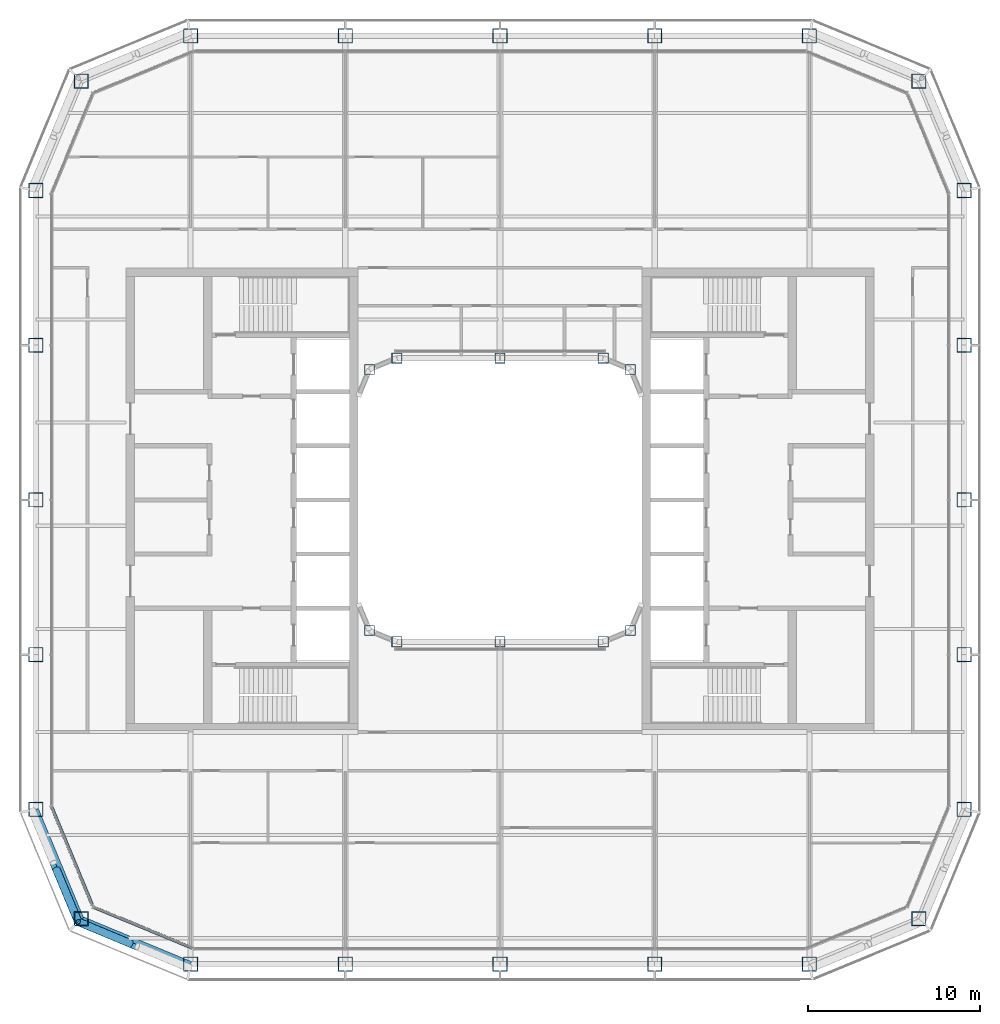
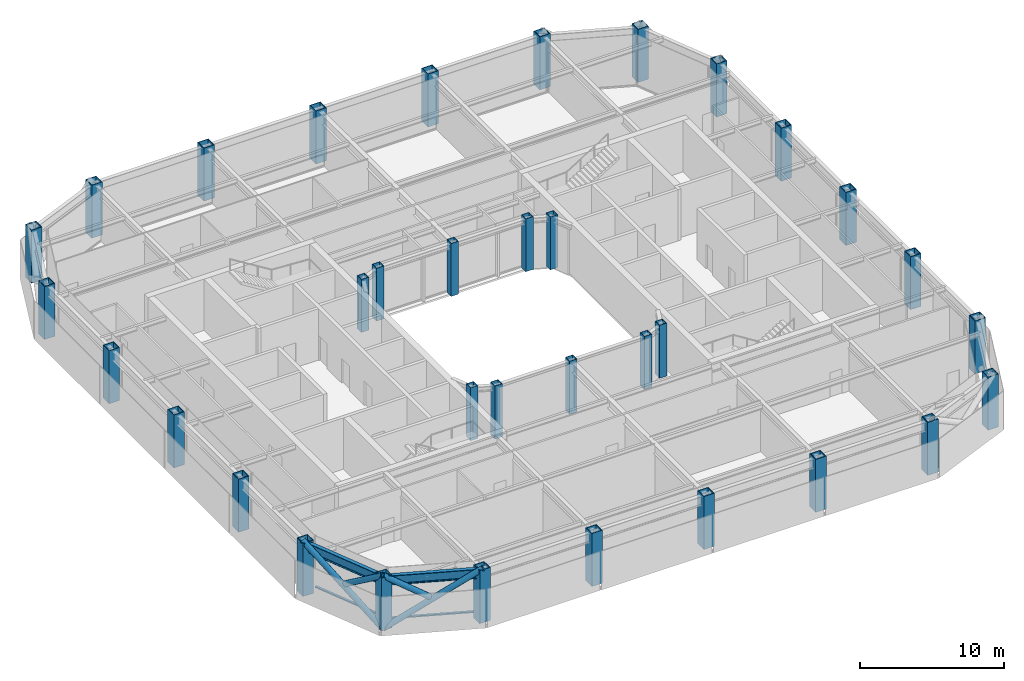
# One storey, part 1 of 19: 34 columns, 6 members, 2 beams, 2 elements without a shape of their own.
"""IFC4 building model written with IfcOpenShell, lengths in metres."""

import ifcopenshell
import ifcopenshell.guid

model = None  # the IFC model being written
_history = None  # IfcOwnerHistory: only IFC2X3 demands one
_inside = {}  # id of a spatial element -> (the spatial element, [elements in it])
_under = {}  # id of a project, library or spatial element -> (it, [spatial elements below it])
_declared = {}  # id of a project -> (the project, [libraries it declares])
_typed = {}  # id of a type object -> (the type object, [elements of that type])
_made_of = {}  # id of a material, layer set ... -> (it, [elements and type objects made of it])


def new_model(schema):
    """Start an empty IFC model of exactly this schema.

    Asked for "IFC4X3", IfcOpenShell would pick the latest addendum, in which some entities
    have other attributes; the version numbers below select the first issue.
    IFC2X3 requires an IfcOwnerHistory on every rooted entity: one is made here for all.
    """
    global model, _history
    if schema == "IFC4X3":
        model = ifcopenshell.file(schema_version=(4, 3, 0, 0))
    else:
        model = ifcopenshell.file(schema=schema)
    _inside.clear()
    _under.clear()
    _declared.clear()
    _typed.clear()
    _made_of.clear()
    _history = None
    if model.schema == "IFC2X3":
        org = make("IfcOrganization", Name="unknown")
        user = make(
            "IfcPersonAndOrganization",
            ThePerson=make("IfcPerson", FamilyName="unknown"),
            TheOrganization=org,
        )
        app = make(
            "IfcApplication",
            ApplicationDeveloper=org,
            Version="unknown",
            ApplicationFullName="unknown",
            ApplicationIdentifier="unknown",
        )
        _history = make(
            "IfcOwnerHistory",
            OwningUser=user,
            OwningApplication=app,
            ChangeAction="ADDED",
            CreationDate=0,
        )
    return model


def make(cls, **values):
    """One entity of the class cls with the attributes given. An attribute that is None is left unset."""
    return model.create_entity(
        cls, **{name: value for name, value in values.items() if value is not None}
    )


def rooted(cls, **values):
    """An entity with a GlobalId (a new one), such as an element, a storey or a relation."""
    return make(cls, GlobalId=ifcopenshell.guid.new(), OwnerHistory=_history, **values)


def si_unit(unit_type, name, prefix=None):
    """IfcSIUnit, for example si_unit("LENGTHUNIT", "METRE", prefix="MILLI")."""
    return make("IfcSIUnit", UnitType=unit_type, Prefix=prefix, Name=name)


def assignment(units):
    """IfcUnitAssignment: the units of a project."""
    return None if units is None else make("IfcUnitAssignment", Units=units)


def point(xyz):
    """IfcCartesianPoint."""
    return None if xyz is None else make("IfcCartesianPoint", Coordinates=xyz)


def direction(xyz):
    """IfcDirection."""
    return None if xyz is None else make("IfcDirection", DirectionRatios=xyz)


def frame(location, z_axis=None, x_axis=None):
    """IfcAxis2Placement3D, a coordinate frame: its origin and axes. An axis left out is left unset."""
    return make(
        "IfcAxis2Placement3D",
        Location=point(location),
        Axis=direction(z_axis),
        RefDirection=direction(x_axis),
    )


def frame_2d(location, x_axis=None):
    """IfcAxis2Placement2D, a coordinate frame in the plane: its origin and x axis."""
    return make(
        "IfcAxis2Placement2D", Location=point(location), RefDirection=direction(x_axis)
    )


def origin():
    """The frame at (0, 0, 0) with its axes left unset."""
    return frame((0.0, 0.0, 0.0))


def origin_2d():
    """The frame at (0, 0) in the plane with its x axis left unset."""
    return frame_2d((0.0, 0.0))


def place(relative_to, where):
    """IfcLocalPlacement: puts the frame where relative to a parent placement (None: the world)."""
    return make(
        "IfcLocalPlacement", PlacementRelTo=relative_to, RelativePlacement=where
    )


def context(
    kind, dimensions, precision=None, world=None, true_north=None, identifier=None
):
    """IfcGeometricRepresentationContext, for example the 3D "Model" context."""
    return make(
        "IfcGeometricRepresentationContext",
        ContextIdentifier=identifier,
        ContextType=kind,
        CoordinateSpaceDimension=dimensions,
        Precision=precision,
        WorldCoordinateSystem=world,
        TrueNorth=true_north,
    )


def subcontext(parent, identifier, kind, view, scale=None):
    """IfcGeometricRepresentationSubContext, for example "Body" below "Model"."""
    return make(
        "IfcGeometricRepresentationSubContext",
        ContextIdentifier=identifier,
        ContextType=kind,
        ParentContext=parent,
        TargetScale=scale,
        TargetView=view,
    )


def project(units=None, contexts=None):
    """IfcProject with its units and contexts."""
    return rooted(
        "IfcProject",
        Name="project",
        RepresentationContexts=contexts,
        UnitsInContext=assignment(units),
    )


def spatial(cls, under=None, at=None, **own):
    """A site, building, storey or space (cls), placed at a placement, below another one or the project."""
    s = rooted(cls, ObjectPlacement=at, **own)
    if under is not None:
        _under.setdefault(under.id(), (under, []))[1].append(s)
    return s


def profile(cls, at=None, kind="AREA", **sizes):
    """A parametric profile (cls). Its sizes go by their IFC names, for example OverallWidth=200.0."""
    return make(cls, ProfileType=kind, Position=at, **sizes)


def rectangle(**sizes):
    """IfcRectangleProfileDef."""
    return profile("IfcRectangleProfileDef", **sizes)


def hollow_rectangle(**sizes):
    """IfcRectangleHollowProfileDef."""
    return profile("IfcRectangleHollowProfileDef", **sizes)


def hollow_circle(**sizes):
    """IfcCircleHollowProfileDef."""
    return profile("IfcCircleHollowProfileDef", **sizes)


def i_section(**sizes):
    """IfcIShapeProfileDef."""
    return profile("IfcIShapeProfileDef", **sizes)


def extrude(swept, where, along, depth):
    """IfcExtrudedAreaSolid: the profile swept, set in the frame where, extruded along a direction by depth."""
    return make(
        "IfcExtrudedAreaSolid",
        SweptArea=swept,
        Position=where,
        ExtrudedDirection=direction(along),
        Depth=depth,
    )


def shape(context_of_items, identifier, shape_type, items):
    """IfcShapeRepresentation: the items that make up one representation, for example the "Body"."""
    return make(
        "IfcShapeRepresentation",
        ContextOfItems=context_of_items,
        RepresentationIdentifier=identifier,
        RepresentationType=shape_type,
        Items=items,
    )


def material(Name=None, Category=None):
    """IfcMaterial."""
    return make("IfcMaterial", Name=Name, Category=Category)


def layer(
    of_material, thickness, ventilated=None, Name=None, Category=None, Priority=None
):
    """IfcMaterialLayer: one layer of a wall or slab, of a material (None: an air gap)."""
    return make(
        "IfcMaterialLayer",
        Material=of_material,
        LayerThickness=thickness,
        IsVentilated=ventilated,
        Name=Name,
        Category=Category,
        Priority=Priority,
    )


def layer_set(layers, Name=None):
    """IfcMaterialLayerSet."""
    return make("IfcMaterialLayerSet", MaterialLayers=layers, LayerSetName=Name)


def material_profile(
    of_material, cross_section, Name=None, Category=None, Priority=None
):
    """IfcMaterialProfile: a cross section and its material."""
    return make(
        "IfcMaterialProfile",
        Name=Name,
        Material=of_material,
        Profile=cross_section,
        Priority=Priority,
        Category=Category,
    )


def profile_set(profiles, Name=None, composite=None):
    """IfcMaterialProfileSet."""
    return make(
        "IfcMaterialProfileSet",
        Name=Name,
        MaterialProfiles=profiles,
        CompositeProfile=composite,
    )


def made_of(thing, what):
    """Note that an element or type object is made of a material, layer set ...; save() writes the relation."""
    if what is not None:
        _made_of.setdefault(what.id(), (what, []))[1].append(thing)
    return thing


def type_object(cls, material=None, **own):
    """A type object (cls), such as IfcWallType, which elements share."""
    return made_of(rooted(cls, **own), material)


def element(
    cls,
    number,
    at=None,
    inside=None,
    cuts=None,
    type_object=None,
    material=None,
    context=None,
    identifier="Body",
    shape_type=None,
    held_by="IfcProductDefinitionShape",
    body=None,
    shapes=None,
    **own,
):
    """One element of the class cls, such as IfcWall. Its Tag is "e" and its number.

    at: its placement. inside: the storey or other place that contains it. cuts: it is an
    opening in that element (IfcRelVoidsElement). A single representation is given by context,
    identifier, shape_type and body (its items); several are given by shapes. held_by: the class
    of the entity that holds the representations. save() writes the other relations.
    """
    e = rooted(cls, Tag="e%d" % number, ObjectPlacement=at, **own)
    if body is not None:
        shapes = [shape(context, identifier, shape_type, body)]
    if shapes is not None:
        e.Representation = make(held_by, Representations=shapes)
    if inside is not None:
        _inside.setdefault(inside.id(), (inside, []))[1].append(e)
    if cuts is not None:
        rooted(
            "IfcRelVoidsElement", RelatingBuildingElement=cuts, RelatedOpeningElement=e
        )
    if type_object is not None:
        _typed.setdefault(type_object.id(), (type_object, []))[1].append(e)
    return made_of(e, material)


def aggregate(whole, parts):
    """IfcRelAggregates: a whole, such as a stair, and the parts it consists of."""
    return rooted("IfcRelAggregates", RelatingObject=whole, RelatedObjects=parts)


def save(model, path):
    """Write the relations noted so far, then the file.

    IfcRelAggregates (storeys below a building ...), IfcRelContainedInSpatialStructure (elements
    in a storey), IfcRelDefinesByType, IfcRelAssociatesMaterial and IfcRelDeclares: one each for
    every whole, place, type object, material and project.
    """
    for whole, parts in _under.values():
        aggregate(whole, parts)
    for where, things in _inside.values():
        rooted(
            "IfcRelContainedInSpatialStructure",
            RelatedElements=things,
            RelatingStructure=where,
        )
    for kind, things in _typed.values():
        rooted("IfcRelDefinesByType", RelatedObjects=things, RelatingType=kind)
    for what, things in _made_of.values():
        rooted("IfcRelAssociatesMaterial", RelatedObjects=things, RelatingMaterial=what)
    for by, libraries in _declared.values():
        rooted("IfcRelDeclares", RelatingContext=by, RelatedDefinitions=libraries)
    model.write(path)


model = new_model("IFC4")

# Units and contexts
model_context = context("Model", 3, precision=1e-05, world=origin(), true_north=direction((0.0, 1.0)))
body_context = subcontext(model_context, "Body", "Model", "MODEL_VIEW")
ifc_project = project(units=[si_unit("LENGTHUNIT", "METRE"), si_unit("AREAUNIT", "SQUARE_METRE"), si_unit("VOLUMEUNIT", "CUBIC_METRE"), si_unit("PLANEANGLEUNIT", "RADIAN"), si_unit("MASSUNIT", "GRAM", prefix="KILO")], contexts=[model_context])

# Site, building, storey
site_placement = place(None, origin())
site = spatial("IfcSite", under=ifc_project, at=site_placement, CompositionType="ELEMENT")
building_placement = place(site_placement, origin())
building = spatial("IfcBuilding", under=site, at=building_placement, Name="Siwar Civic Tower", CompositionType="ELEMENT")
storey_placement = place(building_placement, frame((0.0, 0.0, 228.699951171875)))
storey = spatial("IfcBuildingStorey", under=building, at=storey_placement, Name="L49", CompositionType="ELEMENT", Elevation=228.699951171875)

# Columns
ifc_material_1 = material(Name="Steel S355", Category="steel")
ifc_material_profile_1 = material_profile(ifc_material_1, hollow_rectangle(XDim=0.85009765625, YDim=0.85009765625, WallThickness=0.050048828125, at=origin_2d()), Name="BOX850x850x50")
ifc_profile_set_1 = profile_set([ifc_material_profile_1], Name="Steel S355")
column_type_1 = type_object("IfcColumnType", Name="STR-COL-BOX850x850x50", PredefinedType="COLUMN", material=ifc_profile_set_1)
for number, where, z_axis, x_axis, name in (
    (1, (-18.0, -27.0, 0.0), (0.0, 0.0, 1.0), (1.0, 0.0, 0.0), "L49/col/S-0"),
    (2, (-9.0, -27.0, 0.0), (0.0, 0.0, 1.0), (1.0, 0.0, 0.0), "L49/col/S-1"),
    (3, (0.0, -27.0, 0.0), (0.0, 0.0, 1.0), (1.0, 0.0, 0.0), "L49/col/S-2"),
    (4, (9.0, -27.0, 0.0), (0.0, 0.0, 1.0), (1.0, 0.0, 0.0), "L49/col/S-3"),
    (5, (18.0, -27.0, 0.0), (0.0, 0.0, 1.0), (1.0, 0.0, 0.0), "L49/col/SE1-0"),
    (6, (24.364013671875, -24.364013671875, 0.0), (0.0, 0.0, 1.0), (1.0, 0.0, 0.0), "L49/col/SE2-0"),
    (7, (27.0, -18.0, 0.0), (0.0, 0.0, 1.0), (1.0, 0.0, 0.0), "L49/col/E-0"),
    (8, (27.0, -9.0, 0.0), (0.0, 0.0, 1.0), (1.0, 0.0, 0.0), "L49/col/E-1"),
    (9, (27.0, 0.0, 0.0), (0.0, 0.0, 1.0), (1.0, 0.0, 0.0), "L49/col/E-2"),
    (10, (27.0, 9.0, 0.0), (0.0, 0.0, 1.0), (1.0, 0.0, 0.0), "L49/col/E-3"),
    (11, (27.0, 18.0, 0.0), (0.0, 0.0, 1.0), (1.0, 0.0, 0.0), "L49/col/NE1-0"),
    (12, (24.364013671875, 24.364013671875, 0.0), (0.0, 0.0, 1.0), (1.0, 0.0, 0.0), "L49/col/NE2-0"),
    (13, (18.0, 27.0, 0.0), (0.0, 0.0, 1.0), (1.0, 0.0, 0.0), "L49/col/N-0"),
    (14, (9.0, 27.0, 0.0), (0.0, 0.0, 1.0), (1.0, 0.0, 0.0), "L49/col/N-1"),
    (15, (0.0, 27.0, 0.0), (0.0, 0.0, 1.0), (1.0, 0.0, 0.0), "L49/col/N-2"),
    (16, (-9.0, 27.0, 0.0), (0.0, 0.0, 1.0), (1.0, 0.0, 0.0), "L49/col/N-3"),
    (17, (-18.0, 27.0, 0.0), (0.0, 0.0, 1.0), (1.0, 0.0, 0.0), "L49/col/NW1-0"),
    (18, (-24.364013671875, 24.364013671875, 0.0), (0.0, 0.0, 1.0), (1.0, 0.0, 0.0), "L49/col/NW2-0"),
    (19, (-27.0, 18.0, 0.0), (0.0, 0.0, 1.0), (1.0, 0.0, 0.0), "L49/col/W-0"),
    (20, (-27.0, 9.0, 0.0), (0.0, 0.0, 1.0), (1.0, 0.0, 0.0), "L49/col/W-1"),
    (21, (-27.0, 0.0, 0.0), (0.0, 0.0, 1.0), (1.0, 0.0, 0.0), "L49/col/W-2"),
    (22, (-27.0, -9.0, 0.0), (0.0, 0.0, 1.0), (1.0, 0.0, 0.0), "L49/col/W-3"),
    (23, (-27.0, -18.0, 0.0), (0.0, 0.0, 1.0), (1.0, 0.0, 0.0), "L49/col/SW1-0"),
    (24, (-24.364013671875, -24.364013671875, 0.0), (0.0, 0.0, 1.0), (1.0, 0.0, 0.0), "L49/col/SW2-0"),
):
    element("IfcColumn", number, at=place(storey_placement, frame(where, z_axis=z_axis, x_axis=x_axis)), inside=storey, type_object=column_type_1, Name=name, PredefinedType="COLUMN", context=body_context, shape_type="SweptSolid", body=[
        extrude(hollow_rectangle(XDim=0.85009765625, YDim=0.85009765625, WallThickness=0.050048828125, at=origin_2d()), origin(), (0.0, 0.0, 1.0), 4.5),
    ])
ifc_material_2 = material(Name="Steel S355", Category="steel")
ifc_material_profile_2 = material_profile(ifc_material_2, hollow_rectangle(XDim=0.60009765625, YDim=0.60009765625, WallThickness=0.031982421875, at=origin_2d()), Name="BOX600x600x32")
ifc_profile_set_2 = profile_set([ifc_material_profile_2], Name="Steel S355")
column_type_2 = type_object("IfcColumnType", Name="STR-ICOL-BOX600x600x32", PredefinedType="COLUMN", material=ifc_profile_set_2)
for number, where, z_axis, x_axis, name in (
    (25, (-7.591064453125, -7.591064453125, 0.0), (0.0, 0.0, 1.0), (1.0, 0.0, 0.0), "L49/col/IS-0"),
    (26, (-6.0, -8.25, 0.0), (0.0, 0.0, 1.0), (1.0, 0.0, 0.0), "L49/col/IS-1"),
    (27, (0.0, -8.25, 0.0), (0.0, 0.0, 1.0), (1.0, 0.0, 0.0), "L49/col/IS-2"),
    (28, (6.0, -8.25, 0.0), (0.0, 0.0, 1.0), (1.0, 0.0, 0.0), "L49/col/IS-3"),
    (29, (7.591064453125, -7.591064453125, 0.0), (0.0, 0.0, 1.0), (1.0, 0.0, 0.0), "L49/col/IS-4"),
    (30, (-7.591064453125, 7.591064453125, 0.0), (0.0, 0.0, 1.0), (1.0, 0.0, 0.0), "L49/col/IN-0"),
    (31, (-6.0, 8.25, 0.0), (0.0, 0.0, 1.0), (1.0, 0.0, 0.0), "L49/col/IN-1"),
    (32, (0.0, 8.25, 0.0), (0.0, 0.0, 1.0), (1.0, 0.0, 0.0), "L49/col/IN-2"),
    (33, (6.0, 8.25, 0.0), (0.0, 0.0, 1.0), (1.0, 0.0, 0.0), "L49/col/IN-3"),
    (34, (7.591064453125, 7.591064453125, 0.0), (0.0, 0.0, 1.0), (1.0, 0.0, 0.0), "L49/col/IN-4"),
):
    element("IfcColumn", number, at=place(storey_placement, frame(where, z_axis=z_axis, x_axis=x_axis)), inside=storey, type_object=column_type_2, Name=name, PredefinedType="COLUMN", context=body_context, shape_type="SweptSolid", body=[
        extrude(hollow_rectangle(XDim=0.60009765625, YDim=0.60009765625, WallThickness=0.031982421875, at=origin_2d()), origin(), (0.0, 0.0, 1.0), 4.5),
    ])

# Curtain wall, member
ifc_material_3 = material(Name="Aluminium clad insulated panel", Category="aluminium")
ifc_layer = layer(ifc_material_3, 0.179931640625)
ifc_layer_set = layer_set([ifc_layer], Name="Aluminium clad insulated panel")
curtain_wall_type = type_object("IfcCurtainWallType", Name="ENV-CW-CX", PredefinedType="NOTDEFINED", material=ifc_layer_set)
curtain_wall_1_placement = place(storey_placement, origin())
curtain_wall_1 = element("IfcCurtainWall", 35, at=curtain_wall_1_placement, inside=storey, type_object=curtain_wall_type, Name="Curtain wall C SW1", PredefinedType="NOTDEFINED")
ifc_material_4 = material(Name="Aluminium 6063-T6", Category="aluminium")
ifc_material_profile_3 = material_profile(ifc_material_4, rectangle(XDim=0.179931640625, YDim=0.10009765625, at=origin_2d()), Name="AL 180x100")
ifc_profile_set_3 = profile_set([ifc_material_profile_3], Name="Aluminium 6063-T6")
member_type_1 = type_object("IfcMemberType", Name="ENV-TRANSOM-C", PredefinedType="USERDEFINED", material=ifc_profile_set_3)
member_1_placement = place(storey_placement, frame((-26.088623046875, -17.8486328125, 0.050048828125), z_axis=(0.38267744817, -0.923882011223, 0.0), x_axis=(0.923882011223, 0.38267744817, 0.0)))
member_1 = element("IfcMember", 36, at=member_1_placement, type_object=member_type_1, Name="Transom C SW1 1", ObjectType="TRANSOM", PredefinedType="USERDEFINED", context=body_context, shape_type="SweptSolid", body=[
    extrude(rectangle(XDim=0.179931640625, YDim=0.10009765625, at=origin_2d()), origin(), (0.0, 0.0, 1.0), 6.201904296875),
])
aggregate(curtain_wall_1, [member_1])

curtain_wall_2_placement = place(storey_placement, origin())
curtain_wall_2 = element("IfcCurtainWall", 37, at=curtain_wall_2_placement, inside=storey, type_object=curtain_wall_type, Name="Curtain wall C SW2", PredefinedType="NOTDEFINED")
member_2_placement = place(storey_placement, frame((-23.6474609375, -23.6865234375, 0.050048828125), z_axis=(0.923876246063, -0.382691366456, 0.0), x_axis=(0.382691366456, 0.923876246063, 0.0)))
member_2 = element("IfcMember", 38, at=member_2_placement, type_object=member_type_1, Name="Transom C SW2 1", ObjectType="TRANSOM", PredefinedType="USERDEFINED", context=body_context, shape_type="SweptSolid", body=[
    extrude(rectangle(XDim=0.179931640625, YDim=0.10009765625, at=origin_2d()), origin(), (0.0, 0.0, 1.0), 6.20166015625),
])
aggregate(curtain_wall_2, [member_2])

# Members
ifc_material_5 = material(Name="Steel S355", Category="steel")
ifc_material_profile_4 = material_profile(ifc_material_5, hollow_circle(Radius=0.228515625, WallThickness=0.02001953125, at=origin_2d()), Name="CHS457x20")
ifc_profile_set_4 = profile_set([ifc_material_profile_4], Name="Steel S355")
member_type_2 = type_object("IfcMemberType", Name="STR-BR-CHS457x20", PredefinedType="BRACE", material=ifc_profile_set_4)
member_3_placement = place(storey_placement, frame((-24.540771484375, -24.540771484375, 0.0), z_axis=(0.777554562952, -0.323905527954, 0.538975055633), x_axis=(0.384538969033, 0.923108759191, 0.0)))
element("IfcMember", 39, at=member_3_placement, inside=storey, type_object=member_type_2, Name="L49/brc/CSW1-9-0-1", PredefinedType="BRACE", context=body_context, shape_type="SweptSolid", body=[
    extrude(hollow_circle(Radius=0.228515625, WallThickness=0.02001953125, at=origin_2d()), origin(), (0.0, 0.0, 1.0), 8.34912109375),
])
member_4_placement = place(storey_placement, frame((-21.486572265625, -25.81298828125, 2.383056640625), z_axis=(-0.777572496853, 0.323895306243, 0.538955325357), x_axis=(-0.38452107079, -0.92311621485, 0.0)))
element("IfcMember", 40, at=member_4_placement, inside=storey, type_object=member_type_2, Name="L49/brc/CSW1-9-0-3", PredefinedType="BRACE", context=body_context, shape_type="SweptSolid", body=[
    extrude(hollow_circle(Radius=0.228515625, WallThickness=0.02001953125, at=origin_2d()), origin(), (0.0, 0.0, 1.0), 3.927978515625),
])
member_5_placement = place(storey_placement, frame((-24.540771484375, -24.540771484375, 0.0), z_axis=(-0.323905527954, 0.777554562952, 0.538975055633), x_axis=(-0.923108759191, -0.384538969033, 0.0)))
element("IfcMember", 41, at=member_5_placement, inside=storey, type_object=member_type_2, Name="L49/brc/CSW1-9-0-0", PredefinedType="BRACE", context=body_context, shape_type="SweptSolid", body=[
    extrude(hollow_circle(Radius=0.228515625, WallThickness=0.02001953125, at=origin_2d()), origin(), (0.0, 0.0, 1.0), 8.34912109375),
])
member_6_placement = place(storey_placement, frame((-25.81298828125, -21.486572265625, 2.383056640625), z_axis=(0.323895306243, -0.777572496853, 0.538955325357), x_axis=(0.92311621485, 0.38452107079, 0.0)))
element("IfcMember", 42, at=member_6_placement, inside=storey, type_object=member_type_2, Name="L49/brc/CSW1-9-0-5", PredefinedType="BRACE", context=body_context, shape_type="SweptSolid", body=[
    extrude(hollow_circle(Radius=0.228515625, WallThickness=0.02001953125, at=origin_2d()), origin(), (0.0, 0.0, 1.0), 3.927978515625),
])

# Beams
ifc_material_6 = material(Name="Steel S355", Category="steel")
ifc_material_profile_5 = material_profile(ifc_material_6, i_section(OverallWidth=0.300048828125, OverallDepth=0.800048828125, WebThickness=0.017578125, FlangeThickness=0.032958984375, FilletRadius=0.030029296875, at=origin_2d()), Name="HEB800")
ifc_profile_set_5 = profile_set([ifc_material_profile_5], Name="Steel S355")
beam_type = type_object("IfcBeamType", Name="STR-SB-HEB800", PredefinedType="BEAM", material=ifc_profile_set_5)
for number, where, z_axis, x_axis, name in (
    (43, (-27.0, -18.0, 3.949951171875), (0.382674207535, -0.923883353507, 0.0), (0.923883353507, 0.382674207535, 0.0), "L49/bm/SSW1-0"),
    (44, (-24.364013671875, -24.364013671875, 3.949951171875), (0.923883353507, -0.382674207535, 0.0), (0.382674207535, 0.923883353507, 0.0), "L49/bm/SSW2-0"),
):
    element("IfcBeam", number, at=place(storey_placement, frame(where, z_axis=z_axis, x_axis=x_axis)), inside=storey, type_object=beam_type, Name=name, PredefinedType="BEAM", context=body_context, shape_type="SweptSolid", body=[
        extrude(i_section(OverallWidth=0.300048828125, OverallDepth=0.800048828125, WebThickness=0.017578125, FlangeThickness=0.032958984375, FilletRadius=0.030029296875, at=origin_2d()), origin(), (0.0, 0.0, 1.0), 6.888427734375),
    ])

save(model, "model.ifc")
